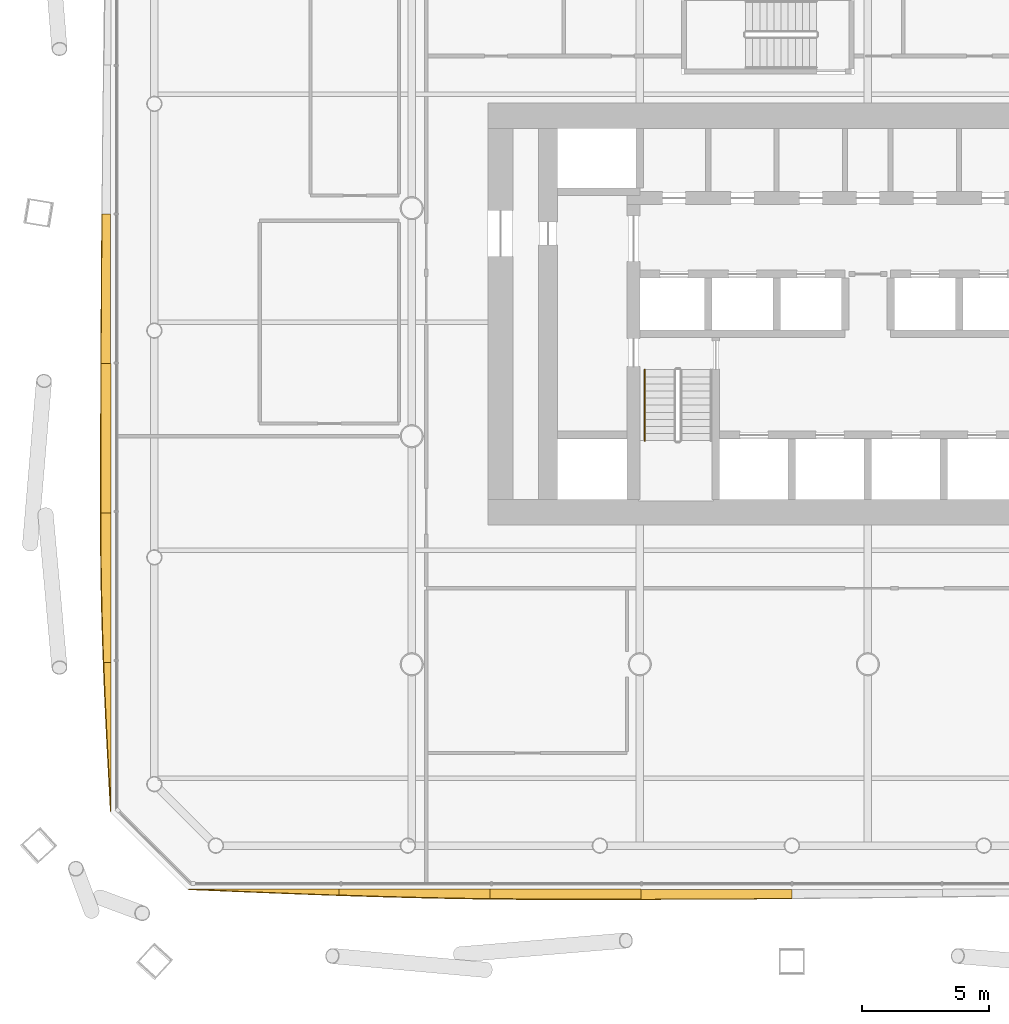
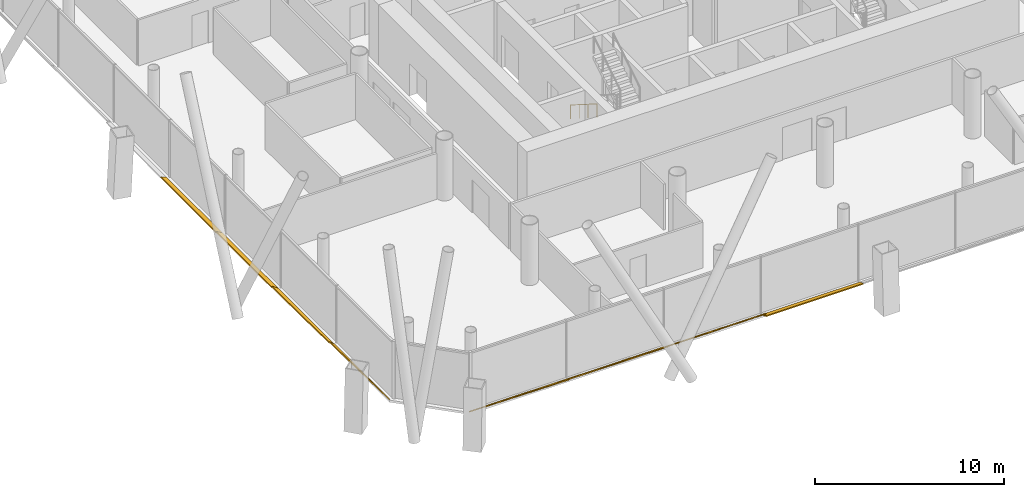
# One storey, part 21 of 25: 8 shading devices, 1 railing.
"""IFC4 building model written with IfcOpenShell, lengths in metres."""

from ifc_helpers import new_model, si_unit, direction, frame, origin, origin_2d, place, context, subcontext, project, spatial, polyline, circle, outline, extrude, material, layer, layer_set, type_object, element, save


model = new_model("IFC4")

# Units and contexts
model_context = context("Model", 3, precision=1e-05, world=origin(), true_north=direction((0.0, 1.0)))
body_context = subcontext(model_context, "Body", "Model", "MODEL_VIEW")
ifc_project = project(units=[si_unit("LENGTHUNIT", "METRE"), si_unit("AREAUNIT", "SQUARE_METRE"), si_unit("VOLUMEUNIT", "CUBIC_METRE"), si_unit("PLANEANGLEUNIT", "RADIAN"), si_unit("MASSUNIT", "GRAM", prefix="KILO")], contexts=[model_context])

# Site, building, storey
site_placement = place(None, origin())
site = spatial("IfcSite", under=ifc_project, at=site_placement, CompositionType="ELEMENT")
building_placement = place(site_placement, origin())
building = spatial("IfcBuilding", under=site, at=building_placement, Name="Tskaro Facet Tower", CompositionType="ELEMENT")
storey_placement = place(building_placement, frame((0.0, 0.0, 34.199951171875)))
storey = spatial("IfcBuildingStorey", under=building, at=storey_placement, Name="L07", CompositionType="ELEMENT", Elevation=34.199951171875)

# Shading devices
ifc_material_1 = material(Name="Bronze anodised aluminium 6063-T6", Category="aluminium")
ifc_layer = layer(ifc_material_1, 0.06005859375, Name="Bronze anodised aluminium 6063-T6")
ifc_layer_set = layer_set([ifc_layer], Name="Bronze anodised aluminium 6063-T6")
shading_device_type = type_object("IfcShadingDeviceType", Name="Bronze sun blade (FN1)", PredefinedType="USERDEFINED", material=ifc_layer_set)
shading_device_1_placement = place(storey_placement, frame((-26.81689453125, -26.8740234375, 0.052001953125), z_axis=(-4.48154e-06, 0.500185464162, 0.865918299507), x_axis=(0.99999999999, 2.241601e-06, 3.880647e-06)))
element("IfcShadingDevice", 1, at=shading_device_1_placement, inside=storey, type_object=shading_device_type, Name="Fin blade south 1", ObjectType="FIN", PredefinedType="USERDEFINED", context=body_context, shape_type="SweptSolid", body=[
    extrude(outline(polyline([(0.0, 0.0), (5.954101562440209, 0.0), (5.954101562590876, -0.27181360944191596), (5.2099609368682644, -0.2418334242546574), (4.465576171909405, -0.2103405728746675), (3.7211914058971796, -0.17730222995311357), (2.977050780804168, -0.1431740325085136), (2.2326660157805325, -0.10828950196754798), (1.4885253911288454, -0.07252652273837899), (0.7441406254520029, -0.03643002208252967), (0.0, 0.0)])), origin(), (0.0, 0.0, -1.0), 0.06005859375),
])
shading_device_2_placement = place(storey_placement, frame((-20.86279296875, -26.86962890625, 0.04931640625), z_axis=(2.582112e-06, 0.57346762988, 0.819228220628), x_axis=(0.999999999997, -1.480757e-06, -2.115339e-06)))
element("IfcShadingDevice", 2, at=shading_device_2_placement, inside=storey, type_object=shading_device_type, Name="Fin blade south 2", ObjectType="FIN", PredefinedType="USERDEFINED", context=body_context, shape_type="SweptSolid", body=[
    extrude(outline(polyline([(0.0, 0.0), (5.95434570310515, 0.0), (5.954345703112845, -0.4619179981443714), (5.209960937799982, -0.44931750640537155), (4.465820312234116, -0.43367689840508533), (3.7214355467662266, -0.4154561880673435), (2.977050781143361, -0.3945953752479203), (2.2329101559905173, -0.37109445994681567), (1.4885253907807239, -0.3453534559436344), (0.7443847658860259, -0.3173123630941508), (-9.850208484932833e-11, -0.28731119503374375), (0.0, 0.0)])), origin(), (0.0, 0.0, -1.0), 0.06005859375),
])
shading_device_3_placement = place(storey_placement, frame((-14.908447265625, -26.865478515625, 0.0458984375), z_axis=(-5.231796e-06, 0.642990927309, 0.76587379337), x_axis=(0.999999999986, 3.363997e-06, 4.006895e-06)))
element("IfcShadingDevice", 3, at=shading_device_3_placement, inside=storey, type_object=shading_device_type, Name="Fin blade south 3", ObjectType="FIN", PredefinedType="USERDEFINED", context=body_context, shape_type="SweptSolid", body=[
    extrude(outline(polyline([(0.0, 0.0), (5.954101562418513, 0.0), (5.954101562455282, -0.5106817905854393), (5.209960937585923, -0.5129325381727365), (4.465576171934609, -0.5148393246465823), (3.7214355465943787, -0.5160581888935245), (2.9770507811365237, -0.5164021500069762), (2.7626953123894573, -0.5164021500069762), (2.232910155832793, -0.5157142277800727), (1.4885253911122698, -0.5117136739257944), (0.7441406249791293, -0.5046174700504504), (-2.990555746698034e-10, -0.49405165434086695), (0.0, 0.0)])), origin(), (0.0, 0.0, -1.0), 0.06005859375),
])
shading_device_4_placement = place(storey_placement, frame((-8.954345703125, -26.883544921875, 0.056396484375), z_axis=(-7.990175e-06, 0.342090884199, 0.939666870164), x_axis=(0.999999999968, 2.733366e-06, 7.508103e-06)))
element("IfcShadingDevice", 4, at=shading_device_4_placement, inside=storey, type_object=shading_device_type, Name="Fin blade south 4", ObjectType="FIN", PredefinedType="USERDEFINED", context=body_context, shape_type="SweptSolid", body=[
    extrude(outline(polyline([(0.0, 0.0), (5.954345702934929, 2.521763494944474e-21), (5.954345703306087, -0.3816868299237104), (5.209960937020622, -0.3876314258924958), (4.465820312027473, -0.3933466110043002), (3.7214355465782774, -0.39829004526288375), (2.9772949224213994, -0.4030040686644863), (2.2329101559754396, -0.4068628229305903), (1.4887695308217985, -0.4104921663397133), (0.7443847663778167, -0.41366268803487427), (-3.9757984067451853e-10, -0.41620735145151766), (0.0, 0.0)])), origin(), (0.0, 0.0, -1.0), 0.06005859375),
])
shading_device_5_placement = place(storey_placement, frame((-29.878662109375, -0.239013671875, 0.054443359375), z_axis=(0.422555478764, 1.617902e-06, 0.906337060571), x_axis=(6.83654e-07, -0.999999999999, 1.466365e-06)))
element("IfcShadingDevice", 5, at=shading_device_5_placement, inside=storey, type_object=shading_device_type, Name="Fin blade west 5", ObjectType="FIN", PredefinedType="USERDEFINED", context=body_context, shape_type="SweptSolid", body=[
    extrude(outline(polyline([(0.0, 0.0), (5.894531249992285, 6.241077721712594e-22), (5.894531250048789, -0.4199651636946721), (5.157714843797373, -0.41592391753746266), (4.420898437354865, -0.41155823472514175), (3.68408203141308, -0.4065287308235348), (2.9472656249222045, -0.4010716273081337), (2.2104492185982356, -0.39539325009630394), (1.4736328126080824, -0.3892723254916168), (0.7368164062357457, -0.3825025275767068), (3.0316699937671256e-11, -0.37551145596536806), (0.0, 0.0)])), origin(), (0.0, 0.0, -1.0), 0.06005859375),
])
shading_device_6_placement = place(storey_placement, frame((-29.8740234375, -6.133544921875, 0.052001953125), z_axis=(0.500100480432, 1.3977091e-05, 0.865967383494), x_axis=(6.98995e-06, -0.999999999902, 1.2103705e-05)))
element("IfcShadingDevice", 6, at=shading_device_6_placement, inside=storey, type_object=shading_device_type, Name="Fin blade west 6", ObjectType="FIN", PredefinedType="USERDEFINED", context=body_context, shape_type="SweptSolid", body=[
    extrude(outline(polyline([(0.0, 0.0), (5.894531249424225, 0.0), (5.8945312507301155, -0.4567776394355979), (5.157714843303612, -0.4564441267734739), (4.420898438041695, -0.4553542658127127), (3.684082031531303, -0.4539308921898274), (2.9472656254789653, -0.4519625880865615), (2.2104492181781525, -0.4496607713211716), (1.4736328113353956, -0.44681402407540105), (0.7368164049506939, -0.4434223463492499), (-9.759525647648088e-10, -0.43948573814271813), (0.0, 0.0)])), origin(), (0.0, 0.0, -1.0), 0.06005859375),
])
shading_device_7_placement = place(storey_placement, frame((-29.86962890625, -12.028076171875, 0.04931640625), z_axis=(0.573427344775, -8.279192e-06, 0.819256419075), x_axis=(-4.747515e-06, -0.999999999966, -6.782781e-06)))
element("IfcShadingDevice", 7, at=shading_device_7_placement, inside=storey, type_object=shading_device_type, Name="Fin blade west 7", ObjectType="FIN", PredefinedType="USERDEFINED", context=body_context, shape_type="SweptSolid", body=[
    extrude(outline(polyline([(0.0, 0.0), (5.89453124979798, 4.992862177370075e-21), (5.894531250502103, -0.3500936449871663), (5.157714844100481, -0.38199488710231244), (4.4208984375346345, -0.41003597795976976), (3.6840820301423935, -0.433676893100798), (2.947265624738771, -0.4529776493892417), (2.2104492190056444, -0.46753821927671085), (1.4736328129430136, -0.4773586027632054), (0.7368164053918176, -0.48223878607453036), (0.37719726544131277, -0.48277881053327076), (-1.7075974626962457e-10, -0.48277881053327076), (0.0, 0.0)])), origin(), (0.0, 0.0, -1.0), 0.06005859375),
])
shading_device_8_placement = place(storey_placement, frame((-29.865478515625, -17.922607421875, 0.0458984375), z_axis=(0.643307677155, 1.0207929e-05, 0.765607753624), x_axis=(6.566839e-06, -0.999999999948, 7.81527e-06)))
element("IfcShadingDevice", 8, at=shading_device_8_placement, inside=storey, type_object=shading_device_type, Name="Fin blade west 8", ObjectType="FIN", PredefinedType="USERDEFINED", context=body_context, shape_type="SweptSolid", body=[
    extrude(outline(polyline([(0.0, 0.0), (5.8942871090679025, 0.0), (5.157470703233634, -0.0523281569953365), (4.420654296789778, -0.1039683670029521), (3.683837891339571, -0.15473371406736242), (2.9470214843654, -0.20377919366247046), (2.2104492180954862, -0.2509178898327919), (1.473632812273501, -0.2952749396351213), (0.7368164056164072, -0.3366932855310828), (-5.773556626869828e-10, -0.3746420380713314), (0.0, 0.0)])), origin(), (0.0, 0.0, -1.0), 0.06005859375),
])

# Railing
ifc_material_2 = material(Name="Stainless steel", Category="steel")
railing_type = type_object("IfcRailingType", Name="RL-HANDRAIL-900", PredefinedType="HANDRAIL", material=ifc_material_2)
railing_placement = place(storey_placement, frame((-8.800048828125, -6.375, 0.17724609375)))
element("IfcRailing", 9, at=railing_placement, inside=storey, type_object=railing_type, Name="L07 ST-1 stair handrail 1", PredefinedType="HANDRAIL", context=body_context, shape_type="SweptSolid", body=[
    extrude(circle(Radius=0.02392578125, at=origin_2d()), frame((0.0, 0.0, 0.8759765625), z_axis=(0.0, -0.844908973607, 0.534910110503), x_axis=(1.0, 0.0, 0.0)), (0.0, 0.0, 1.0), 3.31396484375),
    extrude(circle(Radius=0.02099609375, at=origin_2d()), origin(), (0.0, 0.0, 1.0), 0.851806640625),
    extrude(circle(Radius=0.02099609375, at=origin_2d()), frame((0.0, -0.933349609375, 0.5908203125)), (0.0, 0.0, 1.0), 0.851806640625),
    extrude(circle(Radius=0.02099609375, at=origin_2d()), frame((0.0, -1.86669921875, 1.181884765625)), (0.0, 0.0, 1.0), 0.851806640625),
    extrude(circle(Radius=0.02099609375, at=origin_2d()), frame((0.0, -2.800048828125, 1.772705078125)), (0.0, 0.0, 1.0), 0.851806640625),
])

save(model, "model.ifc")
